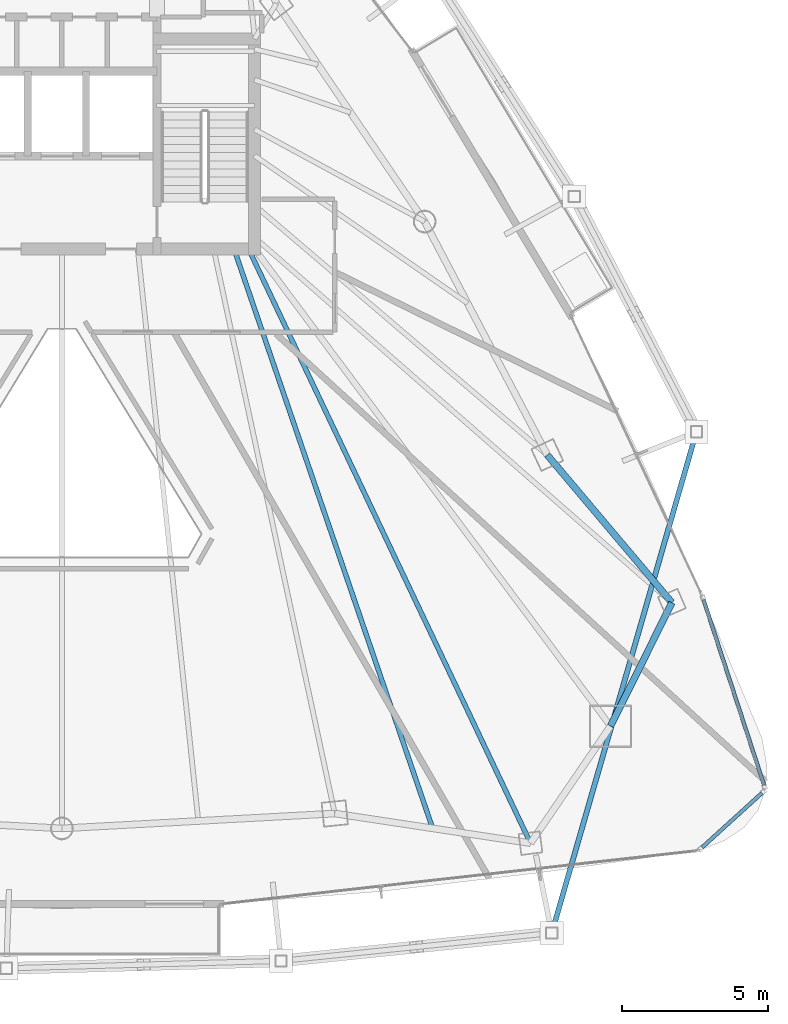
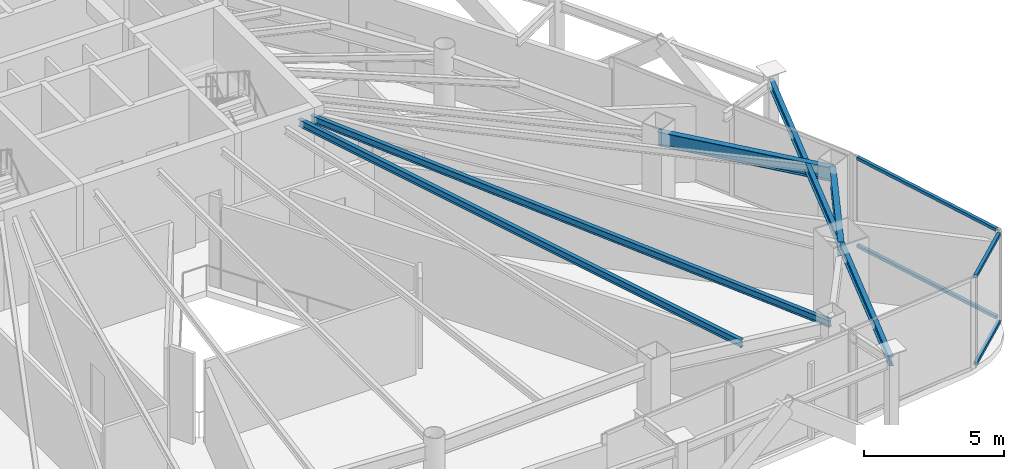
# One storey, part 13 of 27: 5 beams, 4 members, 2 elements without a shape of their own.
"""IFC4 building model written with IfcOpenShell, lengths in metres."""

from ifc_helpers import new_model, si_unit, direction, frame, origin, origin_2d, place, context, subcontext, project, spatial, hollow_rectangle, i_section, extrude, material, layer, layer_set, material_profile, profile_set, type_object, element, aggregate, save


model = new_model("IFC4")

# Units and contexts
model_context = context("Model", 3, precision=1e-05, world=origin(), true_north=direction((0.0, 1.0)))
body_context = subcontext(model_context, "Body", "Model", "MODEL_VIEW")
ifc_project = project(units=[si_unit("LENGTHUNIT", "METRE"), si_unit("AREAUNIT", "SQUARE_METRE"), si_unit("VOLUMEUNIT", "CUBIC_METRE"), si_unit("PLANEANGLEUNIT", "RADIAN"), si_unit("MASSUNIT", "GRAM", prefix="KILO")], contexts=[model_context])

# Site, building, storey
site_placement = place(None, origin())
site = spatial("IfcSite", under=ifc_project, at=site_placement, CompositionType="ELEMENT")
building_placement = place(site_placement, origin())
building = spatial("IfcBuilding", under=site, at=building_placement, Name="Orvanel Arch Residences", CompositionType="ELEMENT")
storey_placement = place(building_placement, frame((0.0, 0.0, 186.949951171875)))
storey = spatial("IfcBuildingStorey", under=building, at=storey_placement, Name="L53", CompositionType="ELEMENT", Elevation=186.949951171875)

# Beams
ifc_material_1 = material(Name="Structural steel AS/NZS 3679.1 Grade 300 (300 MPa)", Category="steel")
ifc_material_profile_1 = material_profile(ifc_material_1, i_section(OverallWidth=0.1650390625, OverallDepth=0.303955078125, WebThickness=0.006103515625, FlangeThickness=0.01025390625, at=origin_2d()), Name="310UB40.4")
ifc_profile_set_1 = profile_set([ifc_material_profile_1], Name="Structural steel AS/NZS 3679.1 Grade 300 (300 MPa)")
beam_type_1 = type_object("IfcBeamType", Name="BJ-310UB", PredefinedType="JOIST", material=ifc_profile_set_1)
beam_1_placement = place(storey_placement, frame((39.39990234375, 26.699951171875, 3.798095703125), z_axis=(0.428614365266, -0.903487534993, 0.0), x_axis=(0.903487534993, 0.428614365266, 0.0)))
element("IfcBeam", 1, at=beam_1_placement, inside=storey, type_object=beam_type_1, Name="L53 MSE Wing Floor Joist", PredefinedType="JOIST", context=body_context, shape_type="SweptSolid", body=[
    extrude(i_section(OverallWidth=0.1650390625, OverallDepth=0.303955078125, WebThickness=0.006103515625, FlangeThickness=0.01025390625, at=origin_2d()), origin(), (0.0, 0.0, 1.0), 22.535888671875),
])
beam_2_placement = place(storey_placement, frame((38.89990234375, 26.699951171875, 3.798095703125), z_axis=(0.324257108963, -0.945968988544, 0.0), x_axis=(0.945968988544, 0.324257108963, 0.0)))
element("IfcBeam", 2, at=beam_2_placement, inside=storey, type_object=beam_type_1, Name="L53 JADD2 Wing Floor Joist", PredefinedType="JOIST", context=body_context, shape_type="SweptSolid", body=[
    extrude(i_section(OverallWidth=0.1650390625, OverallDepth=0.303955078125, WebThickness=0.006103515625, FlangeThickness=0.01025390625, at=origin_2d()), origin(), (0.0, 0.0, 1.0), 20.987060546875),
])
ifc_material_profile_2 = material_profile(ifc_material_1, i_section(OverallWidth=0.177978515625, OverallDepth=0.406005859375, WebThickness=0.0078125, FlangeThickness=0.0126953125, at=origin_2d()), Name="410UB59.7")
ifc_profile_set_2 = profile_set([ifc_material_profile_2], Name="Structural steel AS/NZS 3679.1 Grade 300 (300 MPa)")
beam_type_2 = type_object("IfcBeamType", Name="OB-410UB-EXT", PredefinedType="SPANDREL", material=ifc_profile_set_2)
beam_3_placement = place(storey_placement, frame((49.787109375, 3.260986328125, 3.7470703125), z_axis=(0.277335453173, 0.960773150339, 0.0), x_axis=(-0.960773150339, 0.277335453173, 0.0)))
element("IfcBeam", 3, at=beam_3_placement, inside=storey, type_object=beam_type_2, Name="L53 Outer Perimeter Floor Ring Beam 08", PredefinedType="SPANDREL", context=body_context, shape_type="SweptSolid", body=[
    extrude(i_section(OverallWidth=0.177978515625, OverallDepth=0.406005859375, WebThickness=0.0078125, FlangeThickness=0.0126953125, at=origin_2d()), origin(), (0.0, 0.0, 1.0), 17.877197265625),
])
ifc_material_profile_3 = material_profile(ifc_material_1, i_section(OverallWidth=0.22900390625, OverallDepth=0.612060546875, WebThickness=0.011962890625, FlangeThickness=0.01953125, at=origin_2d()), Name="610UB125")
ifc_profile_set_3 = profile_set([ifc_material_profile_3], Name="Structural steel AS/NZS 3679.1 Grade 300 (300 MPa)")
beam_type_3 = type_object("IfcBeamType", Name="SP-610UB", PredefinedType="SPANDREL", material=ifc_profile_set_3)
beam_4_placement = place(storey_placement, frame((51.801025390625, 10.35107421875, 3.64404296875), z_axis=(0.44543469453, 0.895314432425, 0.0), x_axis=(-0.895314432425, 0.44543469453, 0.0)))
element("IfcBeam", 4, at=beam_4_placement, inside=storey, type_object=beam_type_3, Name="L53 Perimeter Spandrel Beam 09", PredefinedType="SPANDREL", context=body_context, shape_type="SweptSolid", body=[
    extrude(i_section(OverallWidth=0.22900390625, OverallDepth=0.612060546875, WebThickness=0.011962890625, FlangeThickness=0.01953125, at=origin_2d()), origin(), (0.0, 0.0, 1.0), 4.723388671875),
])
beam_5_placement = place(storey_placement, frame((53.905029296875, 14.580078125, 3.64404296875), z_axis=(-0.644950329775, 0.764224490659, 0.0), x_axis=(-0.764224490659, -0.644950329775, 0.0)))
element("IfcBeam", 5, at=beam_5_placement, inside=storey, type_object=beam_type_3, Name="L53 Perimeter Spandrel Beam 10", PredefinedType="SPANDREL", context=body_context, shape_type="SweptSolid", body=[
    extrude(i_section(OverallWidth=0.22900390625, OverallDepth=0.612060546875, WebThickness=0.011962890625, FlangeThickness=0.01953125, at=origin_2d()), origin(), (0.0, 0.0, 1.0), 6.623779296875),
])

# Curtain wall, members
ifc_material_2 = material(Name="Bronze-anodised aluminium AA6063-T6", Category="aluminium")
ifc_layer = layer(ifc_material_2, 0.18994140625)
ifc_layer_set = layer_set([ifc_layer], Name="Bronze-anodised aluminium AA6063-T6")
curtain_wall_type = type_object("IfcCurtainWallType", Name="CW5-CRN-SYS", PredefinedType="NOTDEFINED", material=ifc_layer_set)
curtain_wall_1_placement = place(storey_placement, origin())
curtain_wall_1 = element("IfcCurtainWall", 6, at=curtain_wall_1_placement, inside=storey, type_object=curtain_wall_type, Name="L53 CW5-CRN-SYS Unitised Curtain Wall", PredefinedType="NOTDEFINED")
ifc_material_profile_4 = material_profile(ifc_material_2, hollow_rectangle(XDim=0.1298828125, YDim=0.1298828125, WallThickness=0.00439453125, at=origin_2d()), Name="ALU130x130x4.5")
ifc_profile_set_4 = profile_set([ifc_material_profile_4], Name="Bronze-anodised aluminium AA6063-T6")
member_type = type_object("IfcMemberType", Name="TRN-130x130", PredefinedType="USERDEFINED", material=ifc_profile_set_4)
member_1_placement = place(storey_placement, frame((54.93994140625, 6.19482421875, 0.06494140625), z_axis=(0.740203398326, 0.672383022619, 0.0), x_axis=(-0.672383022619, 0.740203398326, 0.0)))
member_1 = element("IfcMember", 7, at=member_1_placement, type_object=member_type, Name="CW-S5 transom 1.1", ObjectType="TRANSOM", PredefinedType="USERDEFINED", context=body_context, shape_type="SweptSolid", body=[
    extrude(hollow_rectangle(XDim=0.1298828125, YDim=0.1298828125, WallThickness=0.00439453125, at=origin_2d()), origin(), (0.0, 0.0, 1.0), 2.768310546875),
])
member_2_placement = place(storey_placement, frame((54.93994140625, 6.19482421875, 3.885009765625), z_axis=(0.740203398326, 0.672383022619, 0.0), x_axis=(-0.672383022619, 0.740203398326, 0.0)))
member_2 = element("IfcMember", 8, at=member_2_placement, type_object=member_type, Name="CW-S5 transom 1.2", ObjectType="TRANSOM", PredefinedType="USERDEFINED", context=body_context, shape_type="SweptSolid", body=[
    extrude(hollow_rectangle(XDim=0.1298828125, YDim=0.1298828125, WallThickness=0.00439453125, at=origin_2d()), origin(), (0.0, 0.0, 1.0), 2.768310546875),
])
aggregate(curtain_wall_1, [member_1, member_2])

curtain_wall_2_placement = place(storey_placement, origin())
curtain_wall_2 = element("IfcCurtainWall", 9, at=curtain_wall_2_placement, inside=storey, type_object=curtain_wall_type, Name="L53 CW5-CRN-SYS Unitised Curtain Wall", PredefinedType="NOTDEFINED")
member_3_placement = place(storey_placement, frame((57.0625, 8.33154296875, 0.06494140625), z_axis=(-0.310476596492, 0.950581023917, 0.0), x_axis=(-0.950581023917, -0.310476596492, 0.0)))
member_3 = element("IfcMember", 10, at=member_3_placement, type_object=member_type, Name="CW-S5 transom 1.1", ObjectType="TRANSOM", PredefinedType="USERDEFINED", context=body_context, shape_type="SweptSolid", body=[
    extrude(hollow_rectangle(XDim=0.1298828125, YDim=0.1298828125, WallThickness=0.00439453125, at=origin_2d()), origin(), (0.0, 0.0, 1.0), 6.679931640625),
])
member_4_placement = place(storey_placement, frame((57.0625, 8.33154296875, 3.885009765625), z_axis=(-0.310476596492, 0.950581023917, 0.0), x_axis=(-0.950581023917, -0.310476596492, 0.0)))
member_4 = element("IfcMember", 11, at=member_4_placement, type_object=member_type, Name="CW-S5 transom 1.2", ObjectType="TRANSOM", PredefinedType="USERDEFINED", context=body_context, shape_type="SweptSolid", body=[
    extrude(hollow_rectangle(XDim=0.1298828125, YDim=0.1298828125, WallThickness=0.00439453125, at=origin_2d()), origin(), (0.0, 0.0, 1.0), 6.679931640625),
])
aggregate(curtain_wall_2, [member_3, member_4])

save(model, "model.ifc")
